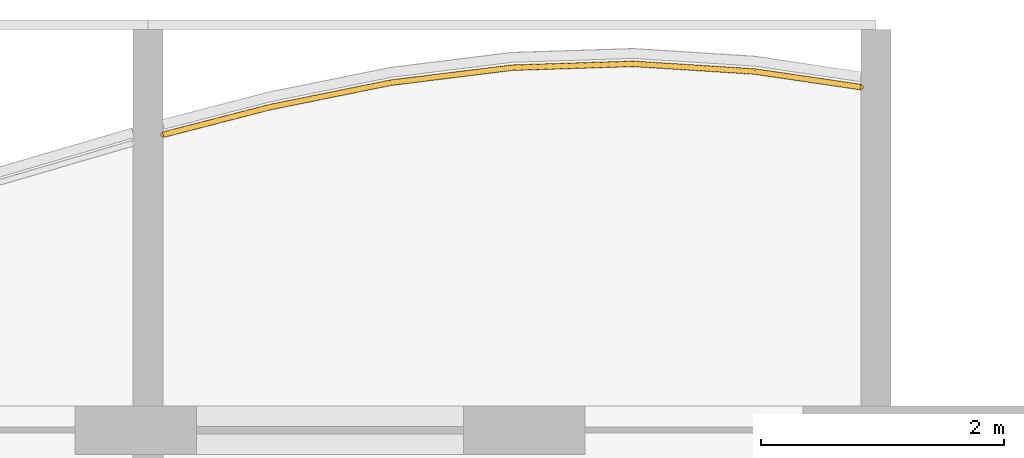
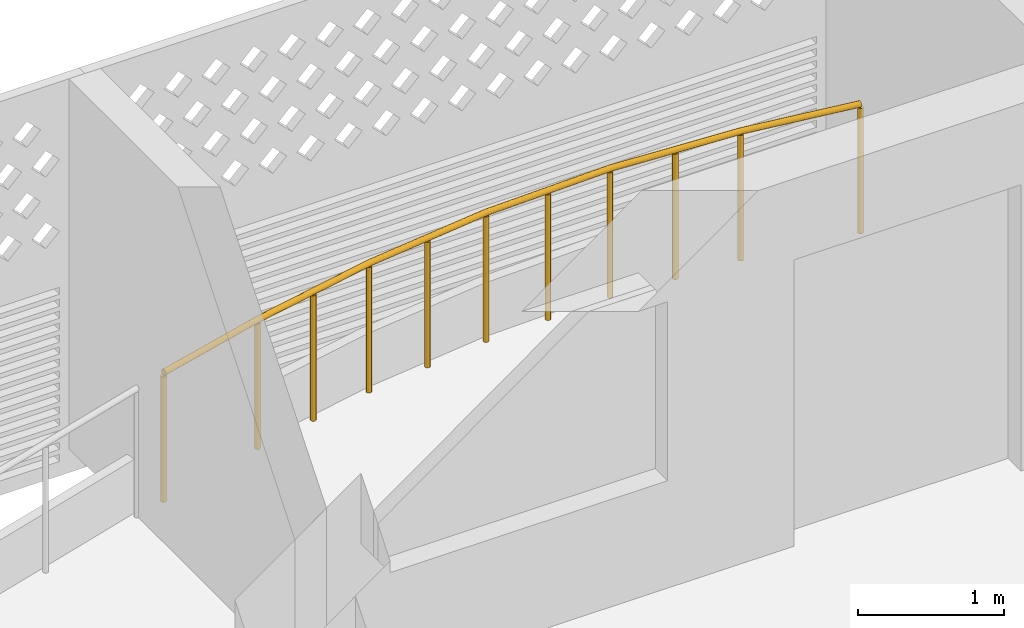
# One storey, part 25 of 26: 1 railing.
"""IFC4 building model written with IfcOpenShell, lengths in metres."""

from ifc_helpers import new_model, si_unit, direction, frame, origin, origin_2d, place, context, subcontext, project, spatial, circle, extrude, material, type_object, element, save


model = new_model("IFC4")

# Units and contexts
model_context = context("Model", 3, precision=1e-05, world=origin(), true_north=direction((0.0, 1.0)))
body_context = subcontext(model_context, "Body", "Model", "MODEL_VIEW")
ifc_project = project(units=[si_unit("LENGTHUNIT", "METRE"), si_unit("AREAUNIT", "SQUARE_METRE"), si_unit("VOLUMEUNIT", "CUBIC_METRE"), si_unit("PLANEANGLEUNIT", "RADIAN"), si_unit("MASSUNIT", "GRAM", prefix="KILO")], contexts=[model_context])

# Site, building, storey
site_placement = place(None, origin())
site = spatial("IfcSite", under=ifc_project, at=site_placement, CompositionType="ELEMENT")
building_placement = place(site_placement, origin())
building = spatial("IfcBuilding", under=site, at=building_placement, Name="Poui Terraces", CompositionType="ELEMENT")
storey_placement = place(building_placement, frame((0.0, 0.0, 244.5)))
storey = spatial("IfcBuildingStorey", under=building, at=storey_placement, Name="L68", CompositionType="ELEMENT", Elevation=244.5)

# Railing
ifc_material = material(Name="Painted steel fretwork", Category="steel")
railing_type = type_object("IfcRailingType", Name="BALCONY GUARD 1100", PredefinedType="GUARDRAIL", material=ifc_material)
railing_placement = place(storey_placement, frame((72.125, 43.634521484375, 0.0)))
element("IfcRailing", 1, at=railing_placement, inside=storey, type_object=railing_type, Name="BALCONY GUARD", PredefinedType="GUARDRAIL", context=body_context, shape_type="SweptSolid", body=[
    extrude(circle(Radius=0.02392578125, at=origin_2d()), frame((0.0, 0.0, 1.076171875), z_axis=(0.968205596165, 0.250155798563, 0.0), x_axis=(-0.250155798563, 0.968205596165, 0.0)), (0.0, 0.0, 1.0), 0.90380859375),
    extrude(circle(Radius=0.02392578125, at=origin_2d()), frame((0.875, 0.22607421875, 1.076171875), z_axis=(0.980080566497, 0.198600310106, 0.0), x_axis=(-0.198600310106, 0.980080566497, 0.0)), (0.0, 0.0, 1.0), 1.020263671875),
    extrude(circle(Radius=0.02392578125, at=origin_2d()), frame((1.875, 0.4287109375, 1.076171875), z_axis=(0.992426262271, 0.122841824944, 0.0), x_axis=(-0.122841824944, 0.992426262271, 0.0)), (0.0, 0.0, 1.0), 1.007568359375),
    extrude(circle(Radius=0.02392578125, at=origin_2d()), frame((2.875, 0.552490234375, 1.076171875), z_axis=(0.999496720941, 0.031722308038, 0.0), x_axis=(-0.031722308038, 0.999496720941, 0.0)), (0.0, 0.0, 1.0), 1.00048828125),
    extrude(circle(Radius=0.02392578125, at=origin_2d()), frame((3.875, 0.584228515625, 1.076171875), z_axis=(0.998006805525, -0.063106387361, 0.0), x_axis=(0.063106387361, 0.998006805525, 0.0)), (0.0, 0.0, 1.0), 1.001953125),
    extrude(circle(Radius=0.02392578125, at=origin_2d()), frame((4.875, 0.52099609375, 1.076171875), z_axis=(0.989401169276, -0.1452078725, 0.0), x_axis=(0.1452078725, 0.989401169276, 0.0)), (0.0, 0.0, 1.0), 0.88427734375),
    extrude(circle(Radius=0.02099609375, at=origin_2d()), origin(), (0.0, 0.0, 1.0), 1.052001953125),
    extrude(circle(Radius=0.02099609375, at=origin_2d()), frame((0.875, 0.22607421875, 0.0)), (0.0, 0.0, 1.0), 1.052001953125),
    extrude(circle(Radius=0.02099609375, at=origin_2d()), frame((1.375, 0.327392578125, 0.0)), (0.0, 0.0, 1.0), 1.052001953125),
    extrude(circle(Radius=0.02099609375, at=origin_2d()), frame((1.875, 0.4287109375, 0.0)), (0.0, 0.0, 1.0), 1.052001953125),
    extrude(circle(Radius=0.02099609375, at=origin_2d()), frame((2.375, 0.49072265625, 0.0)), (0.0, 0.0, 1.0), 1.052001953125),
    extrude(circle(Radius=0.02099609375, at=origin_2d()), frame((2.875, 0.552490234375, 0.0)), (0.0, 0.0, 1.0), 1.052001953125),
    extrude(circle(Radius=0.02099609375, at=origin_2d()), frame((3.375, 0.568359375, 0.0)), (0.0, 0.0, 1.0), 1.052001953125),
    extrude(circle(Radius=0.02099609375, at=origin_2d()), frame((3.875, 0.584228515625, 0.0)), (0.0, 0.0, 1.0), 1.052001953125),
    extrude(circle(Radius=0.02099609375, at=origin_2d()), frame((4.375, 0.552734375, 0.0)), (0.0, 0.0, 1.0), 1.052001953125),
    extrude(circle(Radius=0.02099609375, at=origin_2d()), frame((4.875, 0.52099609375, 0.0)), (0.0, 0.0, 1.0), 1.052001953125),
    extrude(circle(Radius=0.02099609375, at=origin_2d()), frame((5.75, 0.392578125, 0.0)), (0.0, 0.0, 1.0), 1.052001953125),
])

save(model, "model.ifc")
